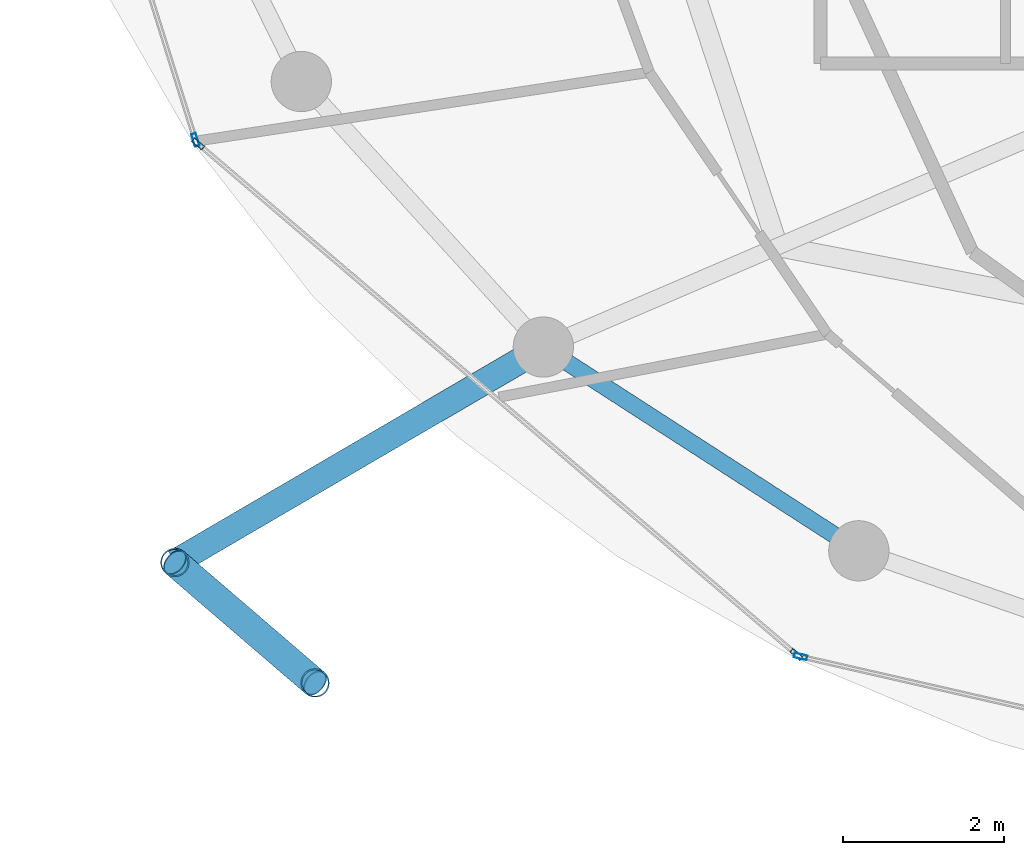
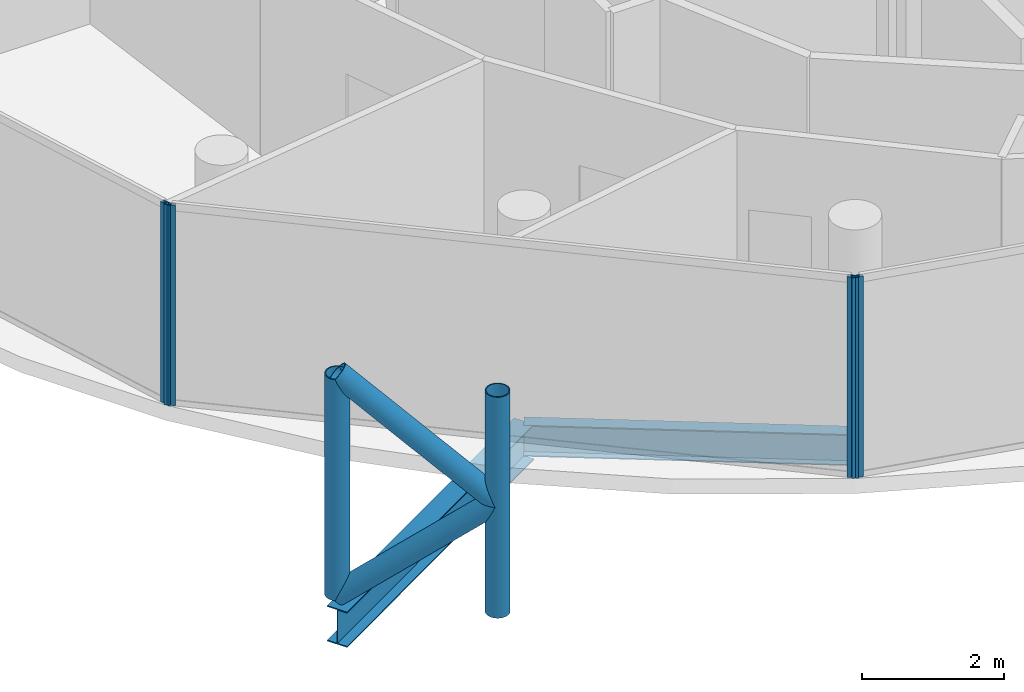
# One storey, part 2 of 24: 8 members, 2 beams, 3 elements without a shape of their own.
"""IFC4 building model written with IfcOpenShell, lengths in metres."""

from ifc_helpers import new_model, si_unit, direction, frame, origin, origin_2d, place, context, subcontext, project, spatial, hollow_rectangle, hollow_circle, i_section, extrude, material, layer, layer_set, material_profile, profile_set, type_object, element, aggregate, save


model = new_model("IFC4")

# Units and contexts
model_context = context("Model", 3, precision=1e-05, world=origin(), true_north=direction((0.0, 1.0)))
body_context = subcontext(model_context, "Body", "Model", "MODEL_VIEW")
ifc_project = project(units=[si_unit("LENGTHUNIT", "METRE"), si_unit("AREAUNIT", "SQUARE_METRE"), si_unit("VOLUMEUNIT", "CUBIC_METRE"), si_unit("PLANEANGLEUNIT", "RADIAN"), si_unit("MASSUNIT", "GRAM", prefix="KILO")], contexts=[model_context])

# Site, building, storey
site_placement = place(None, origin())
site = spatial("IfcSite", under=ifc_project, at=site_placement, CompositionType="ELEMENT")
building_placement = place(site_placement, origin())
building = spatial("IfcBuilding", under=site, at=building_placement, Name="Nuhasar Tower", CompositionType="ELEMENT")
storey_placement = place(building_placement, frame((0.0, 0.0, 297.39990234375)))
storey = spatial("IfcBuildingStorey", under=building, at=storey_placement, Name="L74", CompositionType="ELEMENT", Elevation=297.39990234375)

# Beams
ifc_material_1 = material(Name="Steel S355", Category="steel")
ifc_material_profile_1 = material_profile(ifc_material_1, i_section(OverallWidth=0.2099609375, OverallDepth=0.537109375, WebThickness=0.010986328125, FlangeThickness=0.017333984375, at=origin_2d()), Name="W21X68")
ifc_profile_set_1 = profile_set([ifc_material_profile_1], Name="Steel S355")
beam_type_1 = type_object("IfcBeamType", Name="BM-RING-W21X68", PredefinedType="SPANDREL", material=ifc_profile_set_1)
beam_1_placement = place(storey_placement, frame((25.60009765625, 15.52197265625, -0.52880859375), z_axis=(0.840025485934, -0.542546940809, 0.0), x_axis=(0.542546940809, 0.840025485934, 0.0)))
element("IfcBeam", 1, at=beam_1_placement, inside=storey, type_object=beam_type_1, Name="L74 Perimeter Ring Spandrel 16", PredefinedType="SPANDREL", context=body_context, shape_type="SweptSolid", body=[
    extrude(i_section(OverallWidth=0.2099609375, OverallDepth=0.537109375, WebThickness=0.010986328125, FlangeThickness=0.017333984375, at=origin_2d()), origin(), (0.0, 0.0, 1.0), 4.67236328125),
])
ifc_material_profile_2 = material_profile(ifc_material_1, i_section(OverallWidth=0.323974609375, OverallDepth=0.611083984375, WebThickness=0.0126953125, FlangeThickness=0.01904296875, at=origin_2d()), Name="W24X104")
ifc_profile_set_2 = profile_set([ifc_material_profile_2], Name="Steel S355")
beam_type_2 = type_object("IfcBeamType", Name="BM-TIE-W24X104", PredefinedType="BEAM", material=ifc_profile_set_2)
beam_2_placement = place(storey_placement, frame((25.60009765625, 15.52197265625, -0.56591796875), z_axis=(-0.863291554686, -0.504705549413, 0.0), x_axis=(0.504705549413, -0.863291554686, 0.0)))
element("IfcBeam", 2, at=beam_2_placement, inside=storey, type_object=beam_type_2, Name="L74 Exoskeleton Node Tie Beam 08", PredefinedType="BEAM", context=body_context, shape_type="SweptSolid", body=[
    extrude(i_section(OverallWidth=0.323974609375, OverallDepth=0.611083984375, WebThickness=0.0126953125, FlangeThickness=0.01904296875, at=origin_2d()), origin(), (0.0, 0.0, 1.0), 5.309814453125),
])

# Curtain wall, member
ifc_material_2 = material(Name="Aluminium 6063-T6", Category="aluminium")
ifc_layer = layer(ifc_material_2, 0.18994140625)
ifc_layer_set = layer_set([ifc_layer], Name="Aluminium 6063-T6")
curtain_wall_type = type_object("IfcCurtainWallType", Name="CW-Z4-PEN", PredefinedType="NOTDEFINED", material=ifc_layer_set)
curtain_wall_1_placement = place(storey_placement, origin())
curtain_wall_1 = element("IfcCurtainWall", 3, at=curtain_wall_1_placement, inside=storey, type_object=curtain_wall_type, Name="L74 Unitised Curtain Wall 07", PredefinedType="NOTDEFINED")
ifc_material_profile_3 = material_profile(ifc_material_2, hollow_rectangle(XDim=0.06005859375, YDim=0.1650390625, WallThickness=0.0048828125, at=origin_2d()), Name="CWM-5")
ifc_profile_set_3 = profile_set([ifc_material_profile_3], Name="Aluminium 6063-T6")
member_type_1 = type_object("IfcMemberType", Name="CW-MUL-S5", PredefinedType="MULLION", material=ifc_profile_set_3)
member_1_placement = place(storey_placement, frame((21.27197265625, 18.0986328125, 0.0), z_axis=(0.0, 0.0, 1.0), x_axis=(0.954078526601, 0.299556614146, 0.0)))
member_1 = element("IfcMember", 4, at=member_1_placement, type_object=member_type_1, Name="CW-Z4 mullion 2", PredefinedType="MULLION", context=body_context, shape_type="SweptSolid", body=[
    extrude(hollow_rectangle(XDim=0.06005859375, YDim=0.1650390625, WallThickness=0.0048828125, at=origin_2d()), origin(), (0.0, 0.0, 1.0), 3.4501953125),
])
aggregate(curtain_wall_1, [member_1])

# Curtain wall, members
curtain_wall_2_placement = place(storey_placement, origin())
curtain_wall_2 = element("IfcCurtainWall", 5, at=curtain_wall_2_placement, inside=storey, type_object=curtain_wall_type, Name="L74 Unitised Curtain Wall 08", PredefinedType="NOTDEFINED")
member_2_placement = place(storey_placement, frame((21.3037109375, 18.050537109375, 0.0), z_axis=(0.0, 0.0, 1.0), x_axis=(0.649141996205, 0.760667252327, 0.0)))
member_2 = element("IfcMember", 6, at=member_2_placement, type_object=member_type_1, Name="CW-Z4 mullion 1", PredefinedType="MULLION", context=body_context, shape_type="SweptSolid", body=[
    extrude(hollow_rectangle(XDim=0.06005859375, YDim=0.1650390625, WallThickness=0.0048828125, at=origin_2d()), origin(), (0.0, 0.0, 1.0), 3.4501953125),
])
member_3_placement = place(storey_placement, frame((28.7470703125, 11.698486328125, 0.0), z_axis=(0.0, 0.0, 1.0), x_axis=(0.649141996205, 0.760667252327, 0.0)))
member_3 = element("IfcMember", 7, at=member_3_placement, type_object=member_type_1, Name="CW-Z4 mullion 2", PredefinedType="MULLION", context=body_context, shape_type="SweptSolid", body=[
    extrude(hollow_rectangle(XDim=0.06005859375, YDim=0.1650390625, WallThickness=0.0048828125, at=origin_2d()), origin(), (0.0, 0.0, 1.0), 3.4501953125),
])
aggregate(curtain_wall_2, [member_2, member_3])

# Curtain wall, member
curtain_wall_3_placement = place(storey_placement, origin())
curtain_wall_3 = element("IfcCurtainWall", 8, at=curtain_wall_3_placement, inside=storey, type_object=curtain_wall_type, Name="L74 Unitised Curtain Wall 09", PredefinedType="NOTDEFINED")
member_4_placement = place(storey_placement, frame((28.79931640625, 11.67236328125, 0.0), z_axis=(0.0, 0.0, 1.0), x_axis=(0.222889487645, 0.97484371891, 0.0)))
member_4 = element("IfcMember", 9, at=member_4_placement, type_object=member_type_1, Name="CW-Z4 mullion 1", PredefinedType="MULLION", context=body_context, shape_type="SweptSolid", body=[
    extrude(hollow_rectangle(XDim=0.06005859375, YDim=0.1650390625, WallThickness=0.0048828125, at=origin_2d()), origin(), (0.0, 0.0, 1.0), 3.4501953125),
])
aggregate(curtain_wall_3, [member_4])

# Members
ifc_material_3 = material(Name="Steel S460", Category="steel")
ifc_material_profile_4 = material_profile(ifc_material_3, hollow_circle(Radius=0.177734375, WallThickness=0.015869140625, at=origin_2d()), Name="HSS355.6X15.9")
ifc_profile_set_4 = profile_set([ifc_material_profile_4], Name="Steel S460")
member_type_2 = type_object("IfcMemberType", Name="EXO-BRONZE-356", PredefinedType="BRACE", material=ifc_profile_set_4)
for number, where, z_axis, x_axis, name in (
    (10, (21.01611328125, 12.842041015625, 0.0), (0.0, 0.0, 1.0), (1.0, 0.0, 0.0), "L74 Exoskeleton Chord Column EC-08A"),
    (11, (22.760009765625, 11.343017578125, 0.0), (0.0, 0.0, 1.0), (1.0, 0.0, 0.0), "L74 Exoskeleton Chord Column EC-08B"),
):
    element("IfcMember", number, at=place(storey_placement, frame(where, z_axis=z_axis, x_axis=x_axis)), inside=storey, type_object=member_type_2, Name=name, PredefinedType="BRACE", context=body_context, shape_type="SweptSolid", body=[
        extrude(hollow_circle(Radius=0.177734375, WallThickness=0.015869140625, at=origin_2d()), origin(), (0.0, 0.0, 1.0), 3.800048828125),
    ])
member_5_placement = place(storey_placement, frame((21.01611328125, 12.842041015625, 0.0), z_axis=(0.584594747408, -0.50250759472, 0.636973389203), x_axis=(0.65185738425, 0.758341579104, 0.0)))
element("IfcMember", 12, at=member_5_placement, inside=storey, type_object=member_type_2, Name="L74 Bronze Diagrid Brace W1-08", PredefinedType="BRACE", context=body_context, shape_type="SweptSolid", body=[
    extrude(hollow_circle(Radius=0.177734375, WallThickness=0.015869140625, at=origin_2d()), origin(), (0.0, 0.0, 1.0), 2.983154296875),
])
member_6_placement = place(storey_placement, frame((22.760009765625, 11.343017578125, 1.900146484375), z_axis=(-0.584625223306, 0.502533791278, 0.636924749792), x_axis=(-0.65185738425, -0.758341579104, 0.0)))
element("IfcMember", 13, at=member_6_placement, inside=storey, type_object=member_type_2, Name="L74 Bronze Diagrid Brace W2-08", PredefinedType="BRACE", context=body_context, shape_type="SweptSolid", body=[
    extrude(hollow_circle(Radius=0.177734375, WallThickness=0.015869140625, at=origin_2d()), origin(), (0.0, 0.0, 1.0), 2.98291015625),
])

save(model, "model.ifc")
